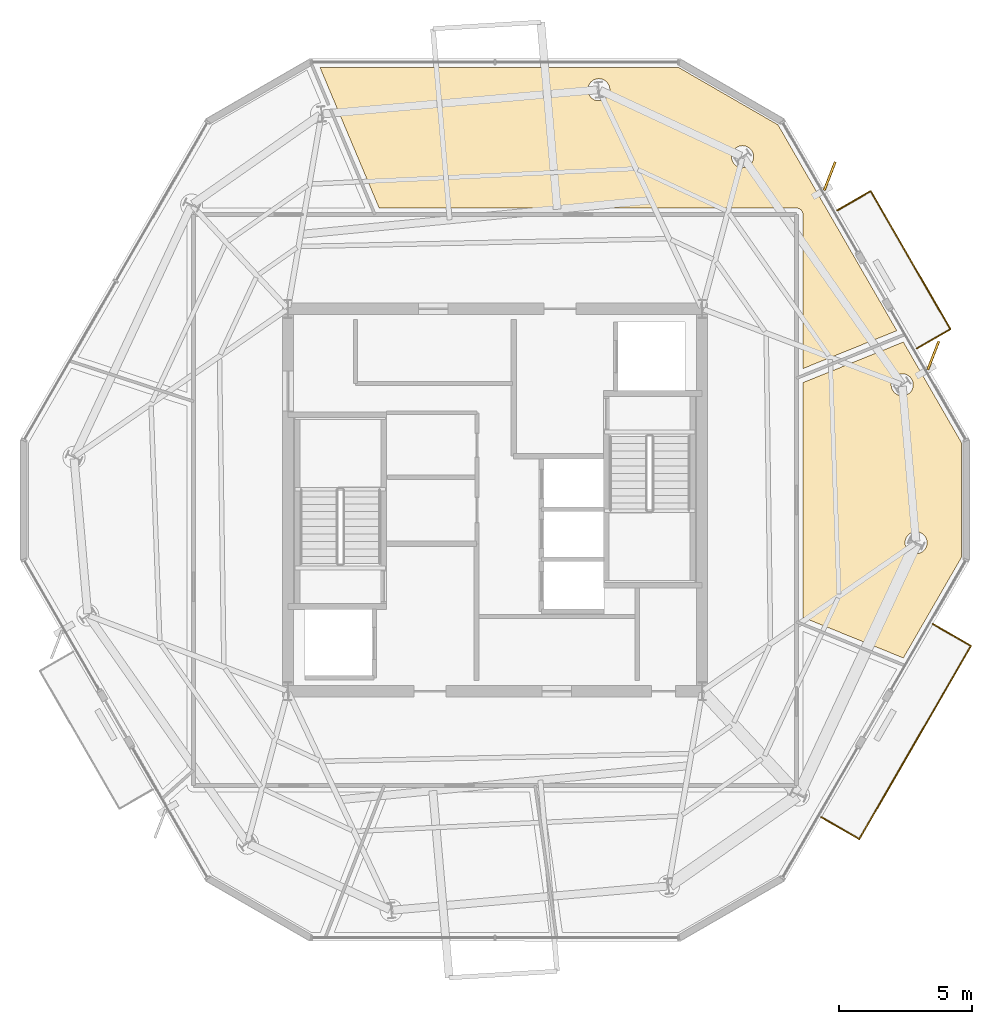
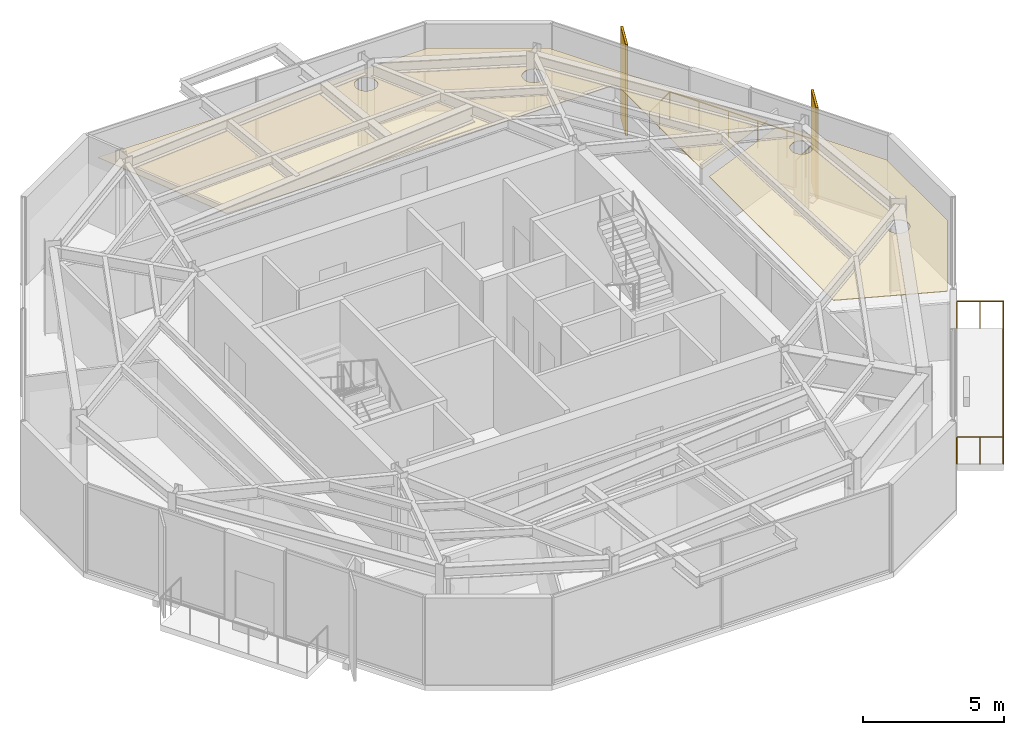
# One storey, part 11 of 11: 4 coverings, 2 railings, 2 shading devices.
"""IFC4 building model written with IfcOpenShell, lengths in metres."""

from ifc_helpers import new_model, si_unit, direction, frame, origin, origin_2d, place, context, subcontext, project, spatial, polyline, rectangle, circle, outline, extrude, material, layer, layer_set, type_object, element, save


model = new_model("IFC4")

# Units and contexts
model_context = context("Model", 3, precision=1e-05, world=origin(), true_north=direction((0.0, 1.0)))
body_context = subcontext(model_context, "Body", "Model", "MODEL_VIEW")
ifc_project = project(units=[si_unit("LENGTHUNIT", "METRE"), si_unit("AREAUNIT", "SQUARE_METRE"), si_unit("VOLUMEUNIT", "CUBIC_METRE"), si_unit("PLANEANGLEUNIT", "RADIAN"), si_unit("MASSUNIT", "GRAM", prefix="KILO")], contexts=[model_context])

# Site, building, storey
site_placement = place(None, origin())
site = spatial("IfcSite", under=ifc_project, at=site_placement, CompositionType="ELEMENT")
building_placement = place(site_placement, origin())
building = spatial("IfcBuilding", under=site, at=building_placement, Name="Kranzbogen Civic Tower", CompositionType="ELEMENT")
storey_placement = place(building_placement, frame((0.0, 0.0, 266.199951171875)))
storey = spatial("IfcBuildingStorey", under=building, at=storey_placement, Name="L64", CompositionType="ELEMENT", Elevation=266.199951171875)

# Coverings
ifc_material_1 = material(Name="Pale Anodised Aluminium", Category="aluminium")
ifc_layer_1 = layer(ifc_material_1, 0.02490234375, Name="Pale Anodised Aluminium")
ifc_layer_set_1 = layer_set([ifc_layer_1], Name="Pale Anodised Aluminium")
covering_type_1 = type_object("IfcCoveringType", Name="Anodised Aluminium Vertical Fin Cladding 25 mm", PredefinedType="CLADDING", material=ifc_layer_set_1)
for number, where, z_axis, x_axis, name in (
    (1, (41.5048828125, 30.44189453125, -0.139892578125), (0.0, 0.0, 1.0), (0.361705929305, 0.932292239969, 0.0), "L64 vertical fin pale-metal cladding F6-1"),
    (2, (37.60498046875, 37.197021484375, -0.139892578125), (0.0, 0.0, 1.0), (0.361705929305, 0.932292239969, 0.0), "L64 vertical fin pale-metal cladding F6-4"),
):
    element("IfcCovering", number, at=place(storey_placement, frame(where, z_axis=z_axis, x_axis=x_axis)), inside=storey, type_object=covering_type_1, Name=name, PredefinedType="CLADDING", context=body_context, shape_type="SweptSolid", body=[
        extrude(rectangle(XDim=1.14990234375, YDim=0.094970703125, at=origin_2d()), origin(), (0.0, 0.0, 1.0), 3.9599609375),
    ])

# Railings
ifc_material_2 = material(Name="Anodised Bronze Aluminium", Category="aluminium")
railing_type = type_object("IfcRailingType", Name="Cantilevered Balcony Glass and Bronze Balustrade 1200", PredefinedType="BALUSTRADE", material=ifc_material_2)
railing_1_placement = place(storey_placement, frame((40.889892578125, 30.7099609375, 0.0)))
element("IfcRailing", 3, at=railing_1_placement, inside=storey, type_object=railing_type, Name="L64 exterior terrace balustrade L64-TB2", PredefinedType="BALUSTRADE", context=body_context, shape_type="SweptSolid", body=[
    extrude(circle(Radius=0.02392578125, at=origin_2d()), frame((0.0, 0.0, 1.17578125), z_axis=(0.866059450854, 0.499941024108, 0.0), x_axis=(-0.499941024108, 0.866059450854, 0.0)), (0.0, 0.0, 1.0), 1.450439453125),
    extrude(circle(Radius=0.02392578125, at=origin_2d()), frame((1.256103515625, 0.72509765625, 1.17578125), z_axis=(-0.500007758305, 0.866020924479, 0.0), x_axis=(-0.866020924479, -0.500007758305, 0.0)), (0.0, 0.0, 1.0), 6.0),
    extrude(circle(Radius=0.02392578125, at=origin_2d()), frame((-1.743896484375, 5.921142578125, 1.17578125), z_axis=(-0.866059450854, -0.499941024108, 0.0), x_axis=(0.499941024108, -0.866059450854, 0.0)), (0.0, 0.0, 1.0), 1.450439453125),
    extrude(circle(Radius=0.02099609375, at=origin_2d()), origin(), (0.0, 0.0, 1.0), 1.15185546875),
    extrude(circle(Radius=0.02099609375, at=origin_2d()), frame((0.6279296875, 0.362548828125, 0.0)), (0.0, 0.0, 1.0), 1.15185546875),
    extrude(circle(Radius=0.02099609375, at=origin_2d()), frame((1.256103515625, 0.72509765625, 0.0)), (0.0, 0.0, 1.0), 1.15185546875),
    extrude(circle(Radius=0.02099609375, at=origin_2d()), frame((0.656005859375, 1.764404296875, 0.0)), (0.0, 0.0, 1.0), 1.15185546875),
    extrude(circle(Radius=0.02099609375, at=origin_2d()), frame((0.05615234375, 2.803466796875, 0.0)), (0.0, 0.0, 1.0), 1.15185546875),
    extrude(circle(Radius=0.02099609375, at=origin_2d()), frame((-0.5439453125, 3.8427734375, 0.0)), (0.0, 0.0, 1.0), 1.15185546875),
    extrude(circle(Radius=0.02099609375, at=origin_2d()), frame((-1.143798828125, 4.8818359375, 0.0)), (0.0, 0.0, 1.0), 1.15185546875),
    extrude(circle(Radius=0.02099609375, at=origin_2d()), frame((-1.743896484375, 5.921142578125, 0.0)), (0.0, 0.0, 1.0), 1.15185546875),
    extrude(circle(Radius=0.02099609375, at=origin_2d()), frame((-2.3720703125, 5.55859375, 0.0)), (0.0, 0.0, 1.0), 1.15185546875),
    extrude(circle(Radius=0.02099609375, at=origin_2d()), frame((-3.0, 5.196044921875, 0.0)), (0.0, 0.0, 1.0), 1.15185546875),
])
railing_2_placement = place(storey_placement, frame((37.2900390625, 13.053955078125, 0.0)))
element("IfcRailing", 4, at=railing_2_placement, inside=storey, type_object=railing_type, Name="L64 exterior terrace balustrade L64-ST", PredefinedType="BALUSTRADE", context=body_context, shape_type="SweptSolid", body=[
    extrude(circle(Radius=0.02392578125, at=origin_2d()), frame((0.0, 0.0, 1.17578125), z_axis=(0.866040211805, -0.499974350878, 0.0), x_axis=(0.499974350878, 0.866040211805, 0.0)), (0.0, 0.0, 1.0), 1.64990234375),
    extrude(circle(Radius=0.02392578125, at=origin_2d()), frame((1.428955078125, -0.824951171875, 1.17578125), z_axis=(0.499980745518, 0.86603652008, 0.0), x_axis=(-0.86603652008, 0.499980745518, 0.0)), (0.0, 0.0, 1.0), 8.400146484375),
    extrude(circle(Radius=0.02392578125, at=origin_2d()), frame((5.62890625, 6.449951171875, 1.17578125), z_axis=(-0.865976140824, 0.500085316245, 0.0), x_axis=(-0.500085316245, -0.865976140824, 0.0)), (0.0, 0.0, 1.0), 1.650146484375),
    extrude(circle(Radius=0.02099609375, at=origin_2d()), origin(), (0.0, 0.0, 1.0), 1.15185546875),
    extrude(circle(Radius=0.02099609375, at=origin_2d()), frame((0.71435546875, -0.41259765625, 0.0)), (0.0, 0.0, 1.0), 1.15185546875),
    extrude(circle(Radius=0.02099609375, at=origin_2d()), frame((1.428955078125, -0.824951171875, 0.0)), (0.0, 0.0, 1.0), 1.15185546875),
    extrude(circle(Radius=0.02099609375, at=origin_2d()), frame((1.953857421875, 0.08447265625, 0.0)), (0.0, 0.0, 1.0), 1.15185546875),
    extrude(circle(Radius=0.02099609375, at=origin_2d()), frame((2.47900390625, 0.99365234375, 0.0)), (0.0, 0.0, 1.0), 1.15185546875),
    extrude(circle(Radius=0.02099609375, at=origin_2d()), frame((3.00390625, 1.903076171875, 0.0)), (0.0, 0.0, 1.0), 1.15185546875),
    extrude(circle(Radius=0.02099609375, at=origin_2d()), frame((3.52880859375, 2.8125, 0.0)), (0.0, 0.0, 1.0), 1.15185546875),
    extrude(circle(Radius=0.02099609375, at=origin_2d()), frame((4.053955078125, 3.721923828125, 0.0)), (0.0, 0.0, 1.0), 1.15185546875),
    extrude(circle(Radius=0.02099609375, at=origin_2d()), frame((4.578857421875, 4.63134765625, 0.0)), (0.0, 0.0, 1.0), 1.15185546875),
    extrude(circle(Radius=0.02099609375, at=origin_2d()), frame((5.10400390625, 5.54052734375, 0.0)), (0.0, 0.0, 1.0), 1.15185546875),
    extrude(circle(Radius=0.02099609375, at=origin_2d()), frame((5.62890625, 6.449951171875, 0.0)), (0.0, 0.0, 1.0), 1.15185546875),
    extrude(circle(Radius=0.02099609375, at=origin_2d()), frame((4.91455078125, 6.862548828125, 0.0)), (0.0, 0.0, 1.0), 1.15185546875),
    extrude(circle(Radius=0.02099609375, at=origin_2d()), frame((4.199951171875, 7.275146484375, 0.0)), (0.0, 0.0, 1.0), 1.15185546875),
])

# Shading devices
shading_device_type = type_object("IfcShadingDeviceType", Name="Pale Anodised Aluminium Crown Fin 1150x75", PredefinedType="USERDEFINED", material=ifc_material_1)
for number, where, z_axis, x_axis, name in (
    (5, (41.5048828125, 30.44189453125, -0.139892578125), (0.0, 0.0, 1.0), (0.361705929305, 0.932292239969, 0.0), "L64 vertical exterior shading fin F6-1"),
    (6, (37.60498046875, 37.197021484375, -0.139892578125), (0.0, 0.0, 1.0), (0.361705929305, 0.932292239969, 0.0), "L64 vertical exterior shading fin F6-4"),
):
    element("IfcShadingDevice", number, at=place(storey_placement, frame(where, z_axis=z_axis, x_axis=x_axis)), inside=storey, type_object=shading_device_type, Name=name, ObjectType="FIN", PredefinedType="USERDEFINED", context=body_context, shape_type="SweptSolid", body=[
        extrude(rectangle(XDim=1.14990234375, YDim=0.074951171875, at=origin_2d()), origin(), (0.0, 0.0, 1.0), 3.9599609375),
    ])

# Coverings
ifc_material_3 = material(Name="Perforated Acoustic Gypsum Ceiling")
ifc_layer_2 = layer(ifc_material_3, 0.02490234375, Name="Perforated Acoustic Gypsum Ceiling")
ifc_layer_set_2 = layer_set([ifc_layer_2], Name="Perforated Acoustic Gypsum Ceiling")
covering_type_2 = type_object("IfcCoveringType", Name="Perforated Acoustic Mineral Ceiling Tile 25 mm", PredefinedType="CEILING", material=ifc_layer_set_2)
covering_1_placement = place(storey_placement, frame((0.0, 0.0, 2.75)))
element("IfcCovering", 7, at=covering_1_placement, inside=storey, type_object=covering_type_2, Name="L64 Hospitality Catering Kitchen acoustic ceiling", PredefinedType="CEILING", context=body_context, shape_type="SweptSolid", body=[
    extrude(outline(polyline([(42.56298828125, 22.8369140625), (40.3779296875, 19.052001953125), (36.594970703125, 20.580078125), (36.594970703125, 29.419921875), (40.3779296875, 30.947998046875), (42.56298828125, 27.1630859375), (42.56298828125, 22.8369140625)]), holes=[polyline([(41.239013671875, 23.23095703125), (41.220947265625, 23.194091796875), (41.199951171875, 23.158935546875), (41.176025390625, 23.1259765625), (41.14892578125, 23.095947265625), (41.118896484375, 23.069091796875), (41.0859375, 23.044921875), (41.051025390625, 23.02392578125), (41.013916015625, 23.006103515625), (40.97607421875, 22.991943359375), (40.93603515625, 22.98291015625), (40.89599609375, 22.97705078125), (40.85498046875, 22.97509765625), (40.81396484375, 22.97705078125), (40.77392578125, 22.98291015625), (40.73388671875, 22.991943359375), (40.696044921875, 23.006103515625), (40.658935546875, 23.02392578125), (40.6240234375, 23.044921875), (40.591064453125, 23.069091796875), (40.56103515625, 23.095947265625), (40.533935546875, 23.1259765625), (40.510009765625, 23.158935546875), (40.489013671875, 23.194091796875), (40.470947265625, 23.23095703125), (40.45703125, 23.26904296875), (40.447998046875, 23.30908203125), (40.44189453125, 23.34912109375), (40.43994140625, 23.389892578125), (40.44189453125, 23.430908203125), (40.447998046875, 23.470947265625), (40.45703125, 23.510986328125), (40.470947265625, 23.549072265625), (40.489013671875, 23.5859375), (40.510009765625, 23.62109375), (40.533935546875, 23.654052734375), (40.56103515625, 23.68408203125), (40.591064453125, 23.7109375), (40.6240234375, 23.735107421875), (40.658935546875, 23.756103515625), (40.696044921875, 23.77392578125), (40.73388671875, 23.7880859375), (40.77392578125, 23.797119140625), (40.81396484375, 23.802978515625), (40.85498046875, 23.804931640625), (40.89599609375, 23.802978515625), (40.93603515625, 23.797119140625), (40.97607421875, 23.7880859375), (41.013916015625, 23.77392578125), (41.051025390625, 23.756103515625), (41.0859375, 23.735107421875), (41.118896484375, 23.7109375), (41.14892578125, 23.68408203125), (41.176025390625, 23.654052734375), (41.199951171875, 23.62109375), (41.220947265625, 23.5859375), (41.239013671875, 23.549072265625), (41.2529296875, 23.510986328125), (41.261962890625, 23.470947265625), (41.26806640625, 23.430908203125), (41.27001953125, 23.389892578125), (41.26806640625, 23.34912109375), (41.261962890625, 23.30908203125), (41.2529296875, 23.26904296875), (41.239013671875, 23.23095703125)]), polyline([(40.718017578125, 29.179931640625), (40.699951171875, 29.14306640625), (40.678955078125, 29.10791015625), (40.655029296875, 29.074951171875), (40.6279296875, 29.044921875), (40.597900390625, 29.01806640625), (40.56494140625, 28.993896484375), (40.530029296875, 28.972900390625), (40.492919921875, 28.955078125), (40.455078125, 28.94091796875), (40.4150390625, 28.931884765625), (40.375, 28.926025390625), (40.333984375, 28.924072265625), (40.29296875, 28.926025390625), (40.2529296875, 28.931884765625), (40.212890625, 28.94091796875), (40.175048828125, 28.955078125), (40.137939453125, 28.972900390625), (40.10302734375, 28.993896484375), (40.070068359375, 29.01806640625), (40.0400390625, 29.044921875), (40.012939453125, 29.074951171875), (39.989013671875, 29.10791015625), (39.968017578125, 29.14306640625), (39.949951171875, 29.179931640625), (39.93603515625, 29.218017578125), (39.927001953125, 29.258056640625), (39.9208984375, 29.298095703125), (39.9189453125, 29.339111328125), (39.9208984375, 29.3798828125), (39.927001953125, 29.419921875), (39.93603515625, 29.4599609375), (39.949951171875, 29.498046875), (39.968017578125, 29.534912109375), (39.989013671875, 29.570068359375), (40.012939453125, 29.60302734375), (40.0400390625, 29.633056640625), (40.070068359375, 29.659912109375), (40.10302734375, 29.68408203125), (40.137939453125, 29.705078125), (40.175048828125, 29.722900390625), (40.212890625, 29.737060546875), (40.2529296875, 29.74609375), (40.29296875, 29.751953125), (40.333984375, 29.75390625), (40.375, 29.751953125), (40.4150390625, 29.74609375), (40.455078125, 29.737060546875), (40.492919921875, 29.722900390625), (40.530029296875, 29.705078125), (40.56494140625, 29.68408203125), (40.597900390625, 29.659912109375), (40.6279296875, 29.633056640625), (40.655029296875, 29.60302734375), (40.678955078125, 29.570068359375), (40.699951171875, 29.534912109375), (40.718017578125, 29.498046875), (40.73193359375, 29.4599609375), (40.740966796875, 29.419921875), (40.7470703125, 29.3798828125), (40.7490234375, 29.339111328125), (40.7470703125, 29.298095703125), (40.740966796875, 29.258056640625), (40.73193359375, 29.218017578125), (40.718017578125, 29.179931640625)])]), origin(), (0.0, 0.0, 1.0), 0.025146484375),
])
covering_2_placement = place(storey_placement, frame((0.0, 0.0, 2.75)))
element("IfcCovering", 8, at=covering_2_placement, inside=storey, type_object=covering_type_2, Name="L64 Refreshment Galley Pantry acoustic ceiling", PredefinedType="CEILING", context=body_context, shape_type="SweptSolid", body=[
    extrude(outline(polyline([(36.594970703125, 29.947998046875), (36.594970703125, 35.75), (36.594970703125, 35.759033203125), (36.593994140625, 35.764892578125), (36.593017578125, 35.782958984375), (36.592041015625, 35.7890625), (36.587890625, 35.805908203125), (36.5869140625, 35.81298828125), (36.58203125, 35.830078125), (36.580078125, 35.8359375), (36.572998046875, 35.85205078125), (36.570068359375, 35.85791015625), (36.56201171875, 35.873046875), (36.55810546875, 35.87890625), (36.549072265625, 35.89306640625), (36.544921875, 35.89794921875), (36.533935546875, 35.912109375), (36.529052734375, 35.9169921875), (36.51708984375, 35.928955078125), (36.511962890625, 35.93408203125), (36.498046875, 35.945068359375), (36.492919921875, 35.948974609375), (36.47900390625, 35.9580078125), (36.472900390625, 35.9619140625), (36.4580078125, 35.969970703125), (36.451904296875, 35.972900390625), (36.43603515625, 35.97998046875), (36.429931640625, 35.98193359375), (36.4130859375, 35.987060546875), (36.406005859375, 35.988037109375), (36.388916015625, 35.991943359375), (36.383056640625, 35.992919921875), (36.364990234375, 35.993896484375), (36.35888671875, 35.9951171875), (36.35009765625, 35.9951171875), (20.636962890625, 35.9951171875), (18.407958984375, 41.2919921875), (31.907958984375, 41.2919921875), (35.655029296875, 39.12890625), (40.131103515625, 31.3759765625), (36.594970703125, 29.947998046875)]), holes=[polyline([(34.7060546875, 37.76708984375), (34.68798828125, 37.72998046875), (34.6669921875, 37.695068359375), (34.64306640625, 37.662109375), (34.615966796875, 37.632080078125), (34.5859375, 37.60498046875), (34.552978515625, 37.5810546875), (34.51806640625, 37.56005859375), (34.48095703125, 37.5419921875), (34.443115234375, 37.528076171875), (34.403076171875, 37.51904296875), (34.363037109375, 37.512939453125), (34.322021484375, 37.510986328125), (34.281005859375, 37.512939453125), (34.240966796875, 37.51904296875), (34.200927734375, 37.528076171875), (34.1630859375, 37.5419921875), (34.1259765625, 37.56005859375), (34.091064453125, 37.5810546875), (34.05810546875, 37.60498046875), (34.028076171875, 37.632080078125), (34.0009765625, 37.662109375), (33.97705078125, 37.695068359375), (33.9560546875, 37.72998046875), (33.93798828125, 37.76708984375), (33.924072265625, 37.804931640625), (33.9150390625, 37.844970703125), (33.908935546875, 37.885009765625), (33.906982421875, 37.926025390625), (33.908935546875, 37.967041015625), (33.9150390625, 38.007080078125), (33.924072265625, 38.047119140625), (33.93798828125, 38.0849609375), (33.9560546875, 38.1220703125), (33.97705078125, 38.156982421875), (34.0009765625, 38.18994140625), (34.028076171875, 38.219970703125), (34.05810546875, 38.2470703125), (34.091064453125, 38.27099609375), (34.1259765625, 38.2919921875), (34.1630859375, 38.31005859375), (34.200927734375, 38.323974609375), (34.240966796875, 38.3330078125), (34.281005859375, 38.339111328125), (34.322021484375, 38.341064453125), (34.363037109375, 38.339111328125), (34.403076171875, 38.3330078125), (34.443115234375, 38.323974609375), (34.48095703125, 38.31005859375), (34.51806640625, 38.2919921875), (34.552978515625, 38.27099609375), (34.5859375, 38.2470703125), (34.615966796875, 38.219970703125), (34.64306640625, 38.18994140625), (34.6669921875, 38.156982421875), (34.68798828125, 38.1220703125), (34.7060546875, 38.0849609375), (34.719970703125, 38.047119140625), (34.72900390625, 38.007080078125), (34.735107421875, 37.967041015625), (34.737060546875, 37.926025390625), (34.735107421875, 37.885009765625), (34.72900390625, 37.844970703125), (34.719970703125, 37.804931640625), (34.7060546875, 37.76708984375)]), polyline([(29.29296875, 40.291015625), (29.27490234375, 40.25390625), (29.25390625, 40.218994140625), (29.22998046875, 40.18603515625), (29.202880859375, 40.156005859375), (29.173095703125, 40.12890625), (29.139892578125, 40.10498046875), (29.10498046875, 40.083984375), (29.068115234375, 40.06591796875), (29.030029296875, 40.052001953125), (28.989990234375, 40.04296875), (28.949951171875, 40.037109375), (28.908935546875, 40.034912109375), (28.867919921875, 40.037109375), (28.827880859375, 40.04296875), (28.7880859375, 40.052001953125), (28.75, 40.06591796875), (28.712890625, 40.083984375), (28.677978515625, 40.10498046875), (28.64501953125, 40.12890625), (28.614990234375, 40.156005859375), (28.587890625, 40.18603515625), (28.56396484375, 40.218994140625), (28.54296875, 40.25390625), (28.52490234375, 40.291015625), (28.510986328125, 40.3291015625), (28.501953125, 40.368896484375), (28.49609375, 40.408935546875), (28.493896484375, 40.449951171875), (28.49609375, 40.490966796875), (28.501953125, 40.531005859375), (28.510986328125, 40.571044921875), (28.52490234375, 40.60888671875), (28.54296875, 40.64599609375), (28.56396484375, 40.680908203125), (28.587890625, 40.714111328125), (28.614990234375, 40.743896484375), (28.64501953125, 40.77099609375), (28.677978515625, 40.794921875), (28.712890625, 40.81591796875), (28.75, 40.833984375), (28.7880859375, 40.847900390625), (28.827880859375, 40.85693359375), (28.867919921875, 40.863037109375), (28.908935546875, 40.864990234375), (28.949951171875, 40.863037109375), (28.989990234375, 40.85693359375), (29.030029296875, 40.847900390625), (29.068115234375, 40.833984375), (29.10498046875, 40.81591796875), (29.139892578125, 40.794921875), (29.173095703125, 40.77099609375), (29.202880859375, 40.743896484375), (29.22998046875, 40.714111328125), (29.25390625, 40.680908203125), (29.27490234375, 40.64599609375), (29.29296875, 40.60888671875), (29.306884765625, 40.571044921875), (29.31591796875, 40.531005859375), (29.322021484375, 40.490966796875), (29.323974609375, 40.449951171875), (29.322021484375, 40.408935546875), (29.31591796875, 40.368896484375), (29.306884765625, 40.3291015625), (29.29296875, 40.291015625)])]), origin(), (0.0, 0.0, 1.0), 0.025146484375),
])

save(model, "model.ifc")
